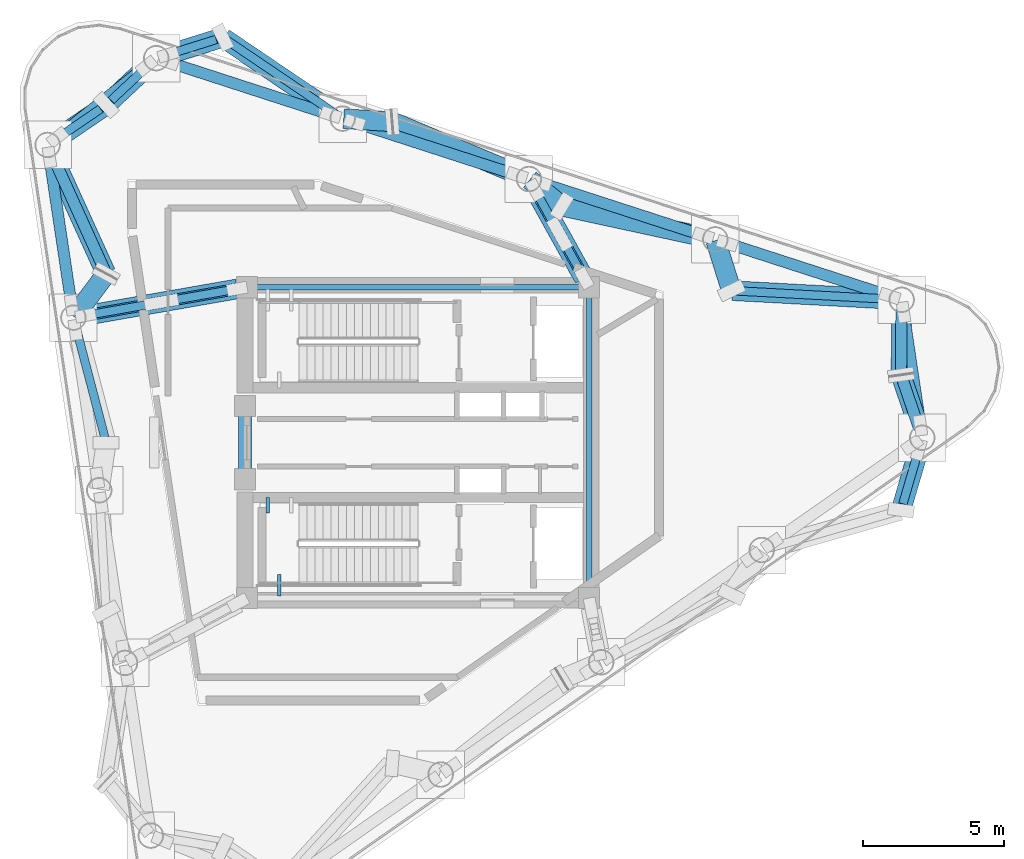
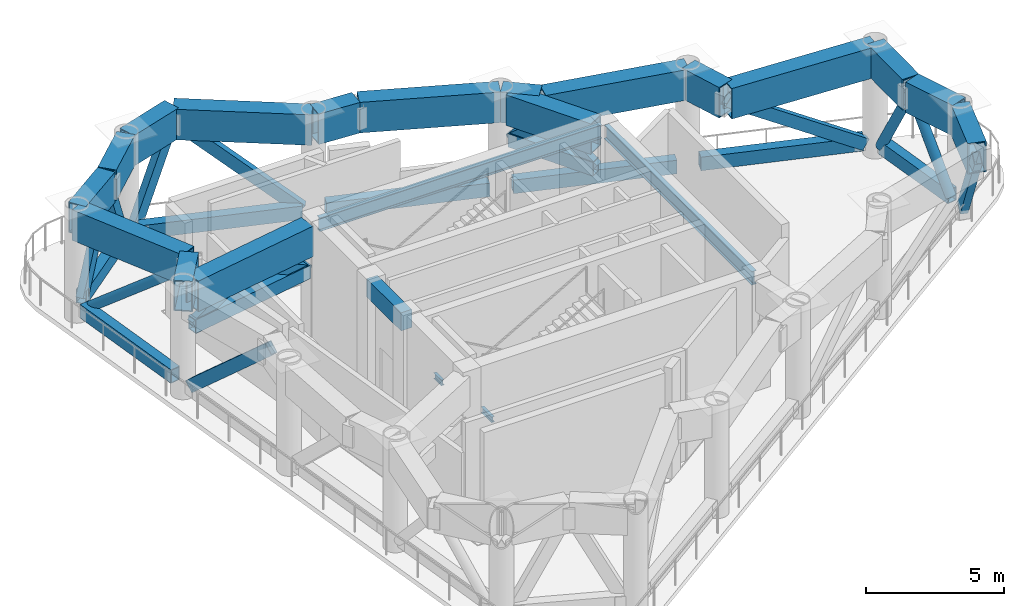
# One storey, part 2 of 9: 23 members, 22 beams.
"""IFC4 building model written with IfcOpenShell, lengths in metres."""

from ifc_helpers import new_model, si_unit, direction, frame, origin, origin_2d, place, context, subcontext, project, spatial, rectangle, hollow_rectangle, hollow_circle, i_section, extrude, source, transform, mapped, material, material_profile, profile_set, type_object, element, save


model = new_model("IFC4")

# Units and contexts
model_context = context("Model", 3, precision=1e-05, world=origin(), true_north=direction((0.0, 1.0)))
body_context = subcontext(model_context, "Body", "Model", "MODEL_VIEW")
ifc_project = project(units=[si_unit("LENGTHUNIT", "METRE"), si_unit("AREAUNIT", "SQUARE_METRE"), si_unit("VOLUMEUNIT", "CUBIC_METRE"), si_unit("PLANEANGLEUNIT", "RADIAN"), si_unit("MASSUNIT", "GRAM", prefix="KILO")], contexts=[model_context])

# Site, building, storey
site_placement = place(None, origin())
site = spatial("IfcSite", under=ifc_project, at=site_placement, CompositionType="ELEMENT")
building_placement = place(site_placement, origin())
building = spatial("IfcBuilding", under=site, at=building_placement, Name="Yunling Apex Tower", CompositionType="ELEMENT")
storey_placement = place(building_placement, frame((0.0, 0.0, 284.75)))
storey = spatial("IfcBuildingStorey", under=building, at=storey_placement, Name="RF8", CompositionType="ELEMENT", Elevation=284.75)

# Beams
ifc_material_1 = material(Name="Steel Q355B", Category="steel")
ifc_material_profile_1 = material_profile(ifc_material_1, i_section(OverallWidth=0.125, OverallDepth=0.25, WebThickness=0.006103515625, FlangeThickness=0.009033203125, FilletRadius=0.011962890625, at=origin_2d()))
ifc_profile_set_1 = profile_set([ifc_material_profile_1], Name="Steel Q355B")
beam_type_1 = type_object("IfcBeamType", Name="BL-LNT-1", PredefinedType="LINTEL", material=ifc_profile_set_1)
shared_shape_1 = source(origin(), body_context, "Body", "SweptSolid", [
    extrude(i_section(OverallWidth=0.125, OverallDepth=0.25, WebThickness=0.006103515625, FlangeThickness=0.009033203125, FilletRadius=0.011962890625, at=origin_2d()), origin(), (0.0, 0.0, 1.0), 0.760009765625),
])
beam_1_placement = place(storey_placement, frame((-4.905029296875, -5.419921875, 2.22998046875), z_axis=(0.0, 1.0, 0.0), x_axis=(-1.0, 0.0, 0.0)))
element("IfcBeam", 1, at=beam_1_placement, inside=storey, type_object=beam_type_1, Name="RF8 ST-2 Landing Bearing Corbel 1-3", PredefinedType="LINTEL", context=body_context, shape_type="MappedRepresentation", body=[
    mapped(shared_shape_1, transform((0.0, 0.0, 0.0), scale=1.0)),
])
shared_shape_2 = source(origin(), body_context, "Body", "SweptSolid", [
    extrude(i_section(OverallWidth=0.125, OverallDepth=0.25, WebThickness=0.006103515625, FlangeThickness=0.009033203125, FilletRadius=0.011962890625, at=origin_2d()), origin(), (0.0, 0.0, 1.0), 0.550048828125),
])
beam_2_placement = place(storey_placement, frame((-5.320068359375, -1.93994140625, 2.22998046875), z_axis=(0.0, -1.0, 0.0), x_axis=(1.0, 0.0, 0.0)))
element("IfcBeam", 2, at=beam_2_placement, inside=storey, type_object=beam_type_1, Name="RF8 ST-2 Landing Bearing Corbel 1-1", PredefinedType="LINTEL", context=body_context, shape_type="MappedRepresentation", body=[
    mapped(shared_shape_2, transform((0.0, 0.0, 0.0), scale=1.0)),
])
ifc_material_2 = material(Name="Concrete C40", Category="concrete")
ifc_material_profile_2 = material_profile(ifc_material_2, rectangle(XDim=0.449951171875, YDim=0.800048828125, at=origin_2d()))
ifc_profile_set_2 = profile_set([ifc_material_profile_2], Name="Concrete C40")
beam_type_2 = type_object("IfcBeamType", Name="BC-CPL-3", PredefinedType="BEAM", material=ifc_profile_set_2)
shared_shape_3 = source(origin(), body_context, "Body", "SweptSolid", [
    extrude(rectangle(XDim=0.449951171875, YDim=0.800048828125, at=origin_2d()), origin(), (0.0, 0.0, 1.0), 2.5),
])
beam_3_placement = place(storey_placement, frame((-6.125, -1.25, 4.52001953125), z_axis=(0.0, 1.0, 0.0), x_axis=(-1.0, 0.0, 0.0)))
element("IfcBeam", 3, at=beam_3_placement, inside=storey, type_object=beam_type_2, Name="RF8 Core West Portal Coupling Beam", PredefinedType="BEAM", context=body_context, shape_type="MappedRepresentation", body=[
    mapped(shared_shape_3, transform((0.0, 0.0, 0.0), scale=1.0)),
])
ifc_material_profile_3 = material_profile(ifc_material_1, i_section(OverallWidth=0.199951171875, OverallDepth=0.60009765625, WebThickness=0.010986328125, FlangeThickness=0.01708984375, FilletRadius=0.02197265625, at=origin_2d()))
ifc_profile_set_3 = profile_set([ifc_material_profile_3], Name="Steel Q355B")
beam_type_3 = type_object("IfcBeamType", Name="BG-PRI-5", PredefinedType="USERDEFINED", material=ifc_profile_set_3)
shared_shape_4 = source(origin(), body_context, "Body", "SweptSolid", [
    extrude(i_section(OverallWidth=0.199951171875, OverallDepth=0.60009765625, WebThickness=0.010986328125, FlangeThickness=0.01708984375, FilletRadius=0.02197265625, at=origin_2d()), origin(), (0.0, 0.0, 1.0), 11.7998046875),
])
beam_4_placement = place(storey_placement, frame((5.89990234375, 5.5, 4.6201171875), z_axis=(-1.0, 0.0, 0.0), x_axis=(0.0, -1.0, 0.0)))
element("IfcBeam", 4, at=beam_4_placement, inside=storey, type_object=beam_type_3, Name="RF8 Core Ring Tie Beam 3", ObjectType="GIRDER", PredefinedType="USERDEFINED", context=body_context, shape_type="MappedRepresentation", body=[
    mapped(shared_shape_4, transform((0.0, 0.0, 0.0), scale=1.0)),
])
shared_shape_5 = source(origin(), body_context, "Body", "SweptSolid", [
    extrude(i_section(OverallWidth=0.199951171875, OverallDepth=0.60009765625, WebThickness=0.010986328125, FlangeThickness=0.01708984375, FilletRadius=0.02197265625, at=origin_2d()), origin(), (0.0, 0.0, 1.0), 10.7001953125),
])
beam_5_placement = place(storey_placement, frame((6.050048828125, -5.35009765625, 4.6201171875), z_axis=(0.0, 1.0, 0.0), x_axis=(-1.0, 0.0, 0.0)))
element("IfcBeam", 5, at=beam_5_placement, inside=storey, type_object=beam_type_3, Name="RF8 Core Ring Tie Beam 2", ObjectType="GIRDER", PredefinedType="USERDEFINED", context=body_context, shape_type="MappedRepresentation", body=[
    mapped(shared_shape_5, transform((0.0, 0.0, 0.0), scale=1.0)),
])

# Members
ifc_material_profile_4 = material_profile(ifc_material_1, hollow_rectangle(XDim=0.39990234375, YDim=0.60009765625, WallThickness=0.030029296875, at=origin_2d()))
ifc_profile_set_4 = profile_set([ifc_material_profile_4], Name="Steel Q355B")
member_type_1 = type_object("IfcMemberType", Name="BT-CHD-2", PredefinedType="CHORD", material=ifc_profile_set_4)
shared_shape_6 = source(origin(), body_context, "Body", "SweptSolid", [
    extrude(hollow_rectangle(XDim=0.39990234375, YDim=0.60009765625, WallThickness=0.030029296875, at=origin_2d()), origin(), (0.0, 0.0, 1.0), 6.047607421875),
])
for number, where, z_axis, x_axis, name in (
    (6, (16.689697265625, 5.188720703125, 0.550048828125), (-0.95126283341, 0.308381292837, 0.0), (-0.308381292837, -0.95126283341, 0.0), "RF8 Belt-Truss Bottom Chord 6"),
    (7, (10.095703125, 7.326171875, 0.550048828125), (-0.951274675266, 0.308344761911, 0.0), (-0.308344761911, -0.951274675266, 0.0), "RF8 Belt-Truss Bottom Chord 7"),
    (8, (3.501708984375, 9.463623046875, 0.550048828125), (-0.95126283341, 0.308381292837, 0.0), (-0.308381292837, -0.95126283341, 0.0), "RF8 Belt-Truss Bottom Chord 8"),
    (9, (-3.09228515625, 11.60107421875, 0.550048828125), (-0.951274675266, 0.308344761911, 0.0), (-0.308344761911, -0.951274675266, 0.0), "RF8 Belt-Truss Bottom Chord 9"),
):
    element("IfcMember", number, at=place(storey_placement, frame(where, z_axis=z_axis, x_axis=x_axis)), inside=storey, type_object=member_type_1, Name=name, PredefinedType="CHORD", context=body_context, shape_type="MappedRepresentation", body=[
        mapped(shared_shape_6, transform((0.0, 0.0, 0.0), scale=1.0)),
    ])
shared_shape_7 = source(origin(), body_context, "Body", "SweptSolid", [
    extrude(hollow_rectangle(XDim=0.39990234375, YDim=0.60009765625, WallThickness=0.030029296875, at=origin_2d()), origin(), (0.0, 0.0, 1.0), 4.0517578125),
])
member_1_placement = place(storey_placement, frame((17.7744140625, 0.60791015625, 0.550048828125), z_axis=(-0.147804181193, 0.989016644967, 0.0), x_axis=(-0.989016644967, -0.147804181193, 0.0)))
element("IfcMember", 10, at=member_1_placement, inside=storey, type_object=member_type_1, Name="RF8 Belt-Truss Bottom Chord 5", PredefinedType="CHORD", context=body_context, shape_type="MappedRepresentation", body=[
    mapped(shared_shape_7, transform((0.0, 0.0, 0.0), scale=1.0)),
])
shared_shape_8 = source(origin(), body_context, "Body", "SweptSolid", [
    extrude(hollow_rectangle(XDim=0.39990234375, YDim=0.60009765625, WallThickness=0.030029296875, at=origin_2d()), origin(), (0.0, 0.0, 1.0), 4.035400390625),
])
member_2_placement = place(storey_placement, frame((-9.611083984375, 13.326416015625, 0.550048828125), z_axis=(-0.781393834195, -0.62403820066, 0.0), x_axis=(0.62403820066, -0.781393834195, 0.0)))
element("IfcMember", 11, at=member_2_placement, inside=storey, type_object=member_type_1, Name="RF8 Belt-Truss Bottom Chord 10", PredefinedType="CHORD", context=body_context, shape_type="MappedRepresentation", body=[
    mapped(shared_shape_8, transform((0.0, 0.0, 0.0), scale=1.0)),
])
shared_shape_9 = source(origin(), body_context, "Body", "SweptSolid", [
    extrude(hollow_rectangle(XDim=0.39990234375, YDim=0.60009765625, WallThickness=0.030029296875, at=origin_2d()), origin(), (0.0, 0.0, 1.0), 5.293212890625),
])
member_3_placement = place(storey_placement, frame((-13.04443359375, 10.09521484375, 0.550048828125), z_axis=(0.147823946255, -0.989013690964, 0.0), x_axis=(0.989013690964, 0.147823946255, 0.0)))
element("IfcMember", 12, at=member_3_placement, inside=storey, type_object=member_type_1, Name="RF8 Belt-Truss Bottom Chord 11", PredefinedType="CHORD", context=body_context, shape_type="MappedRepresentation", body=[
    mapped(shared_shape_9, transform((0.0, 0.0, 0.0), scale=1.0)),
])

# Beams
ifc_material_3 = material(Name="Steel Q390GJC", Category="steel")
ifc_material_profile_5 = material_profile(ifc_material_3, hollow_rectangle(XDim=0.699951171875, YDim=1.35009765625, WallThickness=0.044921875, at=origin_2d()))
ifc_profile_set_5 = profile_set([ifc_material_profile_5], Name="Steel Q390GJC")
beam_type_4 = type_object("IfcBeamType", Name="BTRNG-2", PredefinedType="USERDEFINED", material=ifc_profile_set_5)
shared_shape_10 = source(origin(), body_context, "Body", "SweptSolid", [
    extrude(hollow_rectangle(XDim=0.699951171875, YDim=1.35009765625, WallThickness=0.044921875, at=origin_2d()), origin(), (0.0, 0.0, 1.0), 2.5908203125),
])
beam_6_placement = place(storey_placement, frame((17.097900390625, -2.35302734375, 4.2451171875), z_axis=(0.28195713513, 0.959427002929, 0.0), x_axis=(-0.959427002929, 0.28195713513, 0.0)))
element("IfcBeam", 13, at=beam_6_placement, inside=storey, type_object=beam_type_4, Name="RF8 Panel-Split Box Ring Transfer Girder 14", ObjectType="GIRDER", PredefinedType="USERDEFINED", context=body_context, shape_type="MappedRepresentation", body=[
    mapped(shared_shape_10, transform((0.0, 0.0, 0.0), scale=1.0)),
])
shared_shape_11 = source(origin(), body_context, "Body", "SweptSolid", [
    extrude(hollow_rectangle(XDim=0.699951171875, YDim=1.35009765625, WallThickness=0.044921875, at=origin_2d()), origin(), (0.0, 0.0, 1.0), 2.264892578125),
])
beam_7_placement = place(storey_placement, frame((17.826904296875, 0.208740234375, 4.2451171875), z_axis=(-0.321235925826, 0.946999197444, 0.0), x_axis=(-0.946999197444, -0.321235925826, 0.0)))
element("IfcBeam", 14, at=beam_7_placement, inside=storey, type_object=beam_type_4, Name="RF8 Panel-Split Box Ring Transfer Girder 15", ObjectType="GIRDER", PredefinedType="USERDEFINED", context=body_context, shape_type="MappedRepresentation", body=[
    mapped(shared_shape_11, transform((0.0, 0.0, 0.0), scale=1.0)),
])
shared_shape_12 = source(origin(), body_context, "Body", "SweptSolid", [
    extrude(hollow_rectangle(XDim=0.699951171875, YDim=1.35009765625, WallThickness=0.044921875, at=origin_2d()), origin(), (0.0, 0.0, 1.0), 2.5810546875),
])
beam_8_placement = place(storey_placement, frame((17.0869140625, 2.431396484375, 4.2451171875), z_axis=(0.008891059831, 0.999960473746, 0.0), x_axis=(-0.999960473746, 0.008891059831, 0.0)))
element("IfcBeam", 15, at=beam_8_placement, inside=storey, type_object=beam_type_4, Name="RF8 Panel-Split Box Ring Transfer Girder 16", ObjectType="GIRDER", PredefinedType="USERDEFINED", context=body_context, shape_type="MappedRepresentation", body=[
    mapped(shared_shape_12, transform((0.0, 0.0, 0.0), scale=1.0)),
])
shared_shape_13 = source(origin(), body_context, "Body", "SweptSolid", [
    extrude(hollow_rectangle(XDim=0.699951171875, YDim=1.35009765625, WallThickness=0.044921875, at=origin_2d()), origin(), (0.0, 0.0, 1.0), 5.95263671875),
])
beam_9_placement = place(storey_placement, frame((17.0703125, 5.0546875, 4.2451171875), z_axis=(-0.998546810164, 0.053891260055, 0.0), x_axis=(-0.053891260055, -0.998546810164, 0.0)))
element("IfcBeam", 16, at=beam_9_placement, inside=storey, type_object=beam_type_4, Name="RF8 Panel-Split Box Ring Transfer Girder 17", ObjectType="GIRDER", PredefinedType="USERDEFINED", context=body_context, shape_type="MappedRepresentation", body=[
    mapped(shared_shape_13, transform((0.0, 0.0, 0.0), scale=1.0)),
])
shared_shape_14 = source(origin(), body_context, "Body", "SweptSolid", [
    extrude(hollow_rectangle(XDim=0.699951171875, YDim=1.35009765625, WallThickness=0.044921875, at=origin_2d()), origin(), (0.0, 0.0, 1.0), 1.819580078125),
])
beam_10_placement = place(storey_placement, frame((11.074462890625, 5.416015625, 4.2451171875), z_axis=(-0.300161530792, 0.953888387304, 0.0), x_axis=(-0.953888387304, -0.300161530792, 0.0)))
element("IfcBeam", 17, at=beam_10_placement, inside=storey, type_object=beam_type_4, Name="RF8 Panel-Split Box Ring Transfer Girder 18", ObjectType="GIRDER", PredefinedType="USERDEFINED", context=body_context, shape_type="MappedRepresentation", body=[
    mapped(shared_shape_14, transform((0.0, 0.0, 0.0), scale=1.0)),
])
shared_shape_15 = source(origin(), body_context, "Body", "SweptSolid", [
    extrude(hollow_rectangle(XDim=0.699951171875, YDim=1.35009765625, WallThickness=0.044921875, at=origin_2d()), origin(), (0.0, 0.0, 1.0), 5.475341796875),
])
beam_11_placement = place(storey_placement, frame((10.47705078125, 7.198486328125, 4.2451171875), z_axis=(-0.977409186541, 0.211355818622, 0.0), x_axis=(-0.211355818622, -0.977409186541, 0.0)))
element("IfcBeam", 18, at=beam_11_placement, inside=storey, type_object=beam_type_4, Name="RF8 Panel-Split Box Ring Transfer Girder 19", ObjectType="GIRDER", PredefinedType="USERDEFINED", context=body_context, shape_type="MappedRepresentation", body=[
    mapped(shared_shape_15, transform((0.0, 0.0, 0.0), scale=1.0)),
])
shared_shape_16 = source(origin(), body_context, "Body", "SweptSolid", [
    extrude(hollow_rectangle(XDim=0.699951171875, YDim=1.35009765625, WallThickness=0.044921875, at=origin_2d()), origin(), (0.0, 0.0, 1.0), 1.4306640625),
])
beam_12_placement = place(storey_placement, frame((5.055419921875, 8.3896484375, 4.2451171875), z_axis=(-0.770440561753, 0.637511835816, 0.0), x_axis=(-0.637511835816, -0.770440561753, 0.0)))
element("IfcBeam", 19, at=beam_12_placement, inside=storey, type_object=beam_type_4, Name="RF8 Panel-Split Box Ring Transfer Girder 20", ObjectType="GIRDER", PredefinedType="USERDEFINED", context=body_context, shape_type="MappedRepresentation", body=[
    mapped(shared_shape_16, transform((0.0, 0.0, 0.0), scale=1.0)),
])
shared_shape_17 = source(origin(), body_context, "Body", "SweptSolid", [
    extrude(hollow_rectangle(XDim=0.699951171875, YDim=1.35009765625, WallThickness=0.044921875, at=origin_2d()), origin(), (0.0, 0.0, 1.0), 5.162353515625),
])
beam_13_placement = place(storey_placement, frame((3.885498046875, 9.3427734375, 4.2451171875), z_axis=(-0.92253732946, 0.385907859148, 0.0), x_axis=(-0.385907859148, -0.92253732946, 0.0)))
element("IfcBeam", 20, at=beam_13_placement, inside=storey, type_object=beam_type_4, Name="RF8 Panel-Split Box Ring Transfer Girder 21", ObjectType="GIRDER", PredefinedType="USERDEFINED", context=body_context, shape_type="MappedRepresentation", body=[
    mapped(shared_shape_17, transform((0.0, 0.0, 0.0), scale=1.0)),
])
shared_shape_18 = source(origin(), body_context, "Body", "SweptSolid", [
    extrude(hollow_rectangle(XDim=0.699951171875, YDim=1.35009765625, WallThickness=0.044921875, at=origin_2d()), origin(), (0.0, 0.0, 1.0), 1.681640625),
])
beam_14_placement = place(storey_placement, frame((-0.953857421875, 11.35302734375, 4.2451171875), z_axis=(-0.99789177342, 0.064899988756, 0.0), x_axis=(-0.064899988756, -0.99789177342, 0.0)))
element("IfcBeam", 21, at=beam_14_placement, inside=storey, type_object=beam_type_4, Name="RF8 Panel-Split Box Ring Transfer Girder 22", ObjectType="GIRDER", PredefinedType="USERDEFINED", context=body_context, shape_type="MappedRepresentation", body=[
    mapped(shared_shape_18, transform((0.0, 0.0, 0.0), scale=1.0)),
])
shared_shape_19 = source(origin(), body_context, "Body", "SweptSolid", [
    extrude(hollow_rectangle(XDim=0.699951171875, YDim=1.35009765625, WallThickness=0.044921875, at=origin_2d()), origin(), (0.0, 0.0, 1.0), 5.04296875),
])
beam_15_placement = place(storey_placement, frame((-2.704833984375, 11.4873046875, 4.2451171875), z_axis=(-0.828104285836, 0.560574073411, 0.0), x_axis=(-0.560574073411, -0.828104285836, 0.0)))
element("IfcBeam", 22, at=beam_15_placement, inside=storey, type_object=beam_type_4, Name="RF8 Panel-Split Box Ring Transfer Girder 23", ObjectType="GIRDER", PredefinedType="USERDEFINED", context=body_context, shape_type="MappedRepresentation", body=[
    mapped(shared_shape_19, transform((0.0, 0.0, 0.0), scale=1.0)),
])
shared_shape_20 = source(origin(), body_context, "Body", "SweptSolid", [
    extrude(hollow_rectangle(XDim=0.699951171875, YDim=1.35009765625, WallThickness=0.044921875, at=origin_2d()), origin(), (0.0, 0.0, 1.0), 2.383544921875),
])
beam_16_placement = place(storey_placement, frame((-6.9521484375, 14.32470703125, 4.2451171875), z_axis=(-0.954514599853, -0.298164180725, 0.0), x_axis=(0.298164180725, -0.954514599853, 0.0)))
element("IfcBeam", 23, at=beam_16_placement, inside=storey, type_object=beam_type_4, Name="RF8 Panel-Split Box Ring Transfer Girder 24", ObjectType="GIRDER", PredefinedType="USERDEFINED", context=body_context, shape_type="MappedRepresentation", body=[
    mapped(shared_shape_20, transform((0.0, 0.0, 0.0), scale=1.0)),
])
shared_shape_21 = source(origin(), body_context, "Body", "SweptSolid", [
    extrude(hollow_rectangle(XDim=0.699951171875, YDim=1.35009765625, WallThickness=0.044921875, at=origin_2d()), origin(), (0.0, 0.0, 1.0), 2.345703125),
])
beam_17_placement = place(storey_placement, frame((-9.294921875, 13.574951171875, 4.2451171875), z_axis=(-0.730338410171, -0.683085504625, 0.0), x_axis=(0.683085504625, -0.730338410171, 0.0)))
element("IfcBeam", 24, at=beam_17_placement, inside=storey, type_object=beam_type_4, Name="RF8 Panel-Split Box Ring Transfer Girder 25", ObjectType="GIRDER", PredefinedType="USERDEFINED", context=body_context, shape_type="MappedRepresentation", body=[
    mapped(shared_shape_21, transform((0.0, 0.0, 0.0), scale=1.0)),
])
shared_shape_22 = source(origin(), body_context, "Body", "SweptSolid", [
    extrude(hollow_rectangle(XDim=0.699951171875, YDim=1.35009765625, WallThickness=0.044921875, at=origin_2d()), origin(), (0.0, 0.0, 1.0), 2.42822265625),
])
beam_18_placement = place(storey_placement, frame((-11.0703125, 11.9228515625, 4.2451171875), z_axis=(-0.826235851016, -0.563324345734, 0.0), x_axis=(0.563324345734, -0.826235851016, 0.0)))
element("IfcBeam", 25, at=beam_18_placement, inside=storey, type_object=beam_type_4, Name="RF8 Panel-Split Box Ring Transfer Girder 26", ObjectType="GIRDER", PredefinedType="USERDEFINED", context=body_context, shape_type="MappedRepresentation", body=[
    mapped(shared_shape_22, transform((0.0, 0.0, 0.0), scale=1.0)),
])
shared_shape_23 = source(origin(), body_context, "Body", "SweptSolid", [
    extrude(hollow_rectangle(XDim=0.699951171875, YDim=1.35009765625, WallThickness=0.044921875, at=origin_2d()), origin(), (0.0, 0.0, 1.0), 4.9287109375),
])
beam_19_placement = place(storey_placement, frame((-13.09326171875, 10.49609375, 4.2451171875), z_axis=(0.413758159565, -0.910386832832, 0.0), x_axis=(0.910386832832, 0.413758159565, 0.0)))
element("IfcBeam", 26, at=beam_19_placement, inside=storey, type_object=beam_type_4, Name="RF8 Panel-Split Box Ring Transfer Girder 27", ObjectType="GIRDER", PredefinedType="USERDEFINED", context=body_context, shape_type="MappedRepresentation", body=[
    mapped(shared_shape_23, transform((0.0, 0.0, 0.0), scale=1.0)),
])
shared_shape_24 = source(origin(), body_context, "Body", "SweptSolid", [
    extrude(hollow_rectangle(XDim=0.699951171875, YDim=1.35009765625, WallThickness=0.044921875, at=origin_2d()), origin(), (0.0, 0.0, 1.0), 1.855224609375),
])
beam_20_placement = place(storey_placement, frame((-11.061279296875, 5.940673828125, 4.2451171875), z_axis=(-0.599009963877, -0.80074157078, 0.0), x_axis=(0.80074157078, -0.599009963877, 0.0)))
element("IfcBeam", 27, at=beam_20_placement, inside=storey, type_object=beam_type_4, Name="RF8 Panel-Split Box Ring Transfer Girder 28", ObjectType="GIRDER", PredefinedType="USERDEFINED", context=body_context, shape_type="MappedRepresentation", body=[
    mapped(shared_shape_24, transform((0.0, 0.0, 0.0), scale=1.0)),
])

# Members
ifc_material_profile_6 = material_profile(ifc_material_1, hollow_rectangle(XDim=0.300048828125, YDim=0.5, WallThickness=0.02197265625, at=origin_2d()))
ifc_profile_set_6 = profile_set([ifc_material_profile_6], Name="Steel Q355B")
member_type_2 = type_object("IfcMemberType", Name="BR-BLT-2", PredefinedType="BRACE", material=ifc_profile_set_6)
shared_shape_25 = source(origin(), body_context, "Body", "SweptSolid", [
    extrude(hollow_rectangle(XDim=0.300048828125, YDim=0.5, WallThickness=0.02197265625, at=origin_2d()), origin(), (0.0, 0.0, 1.0), 4.305908203125),
])
member_4_placement = place(storey_placement, frame((17.715576171875, -0.251220703125, 0.550048828125), z_axis=(-0.144751669219, -0.492597924864, 0.858134161235), x_axis=(0.959434053677, -0.281933142154, 0.0)))
element("IfcMember", 28, at=member_4_placement, inside=storey, type_object=member_type_2, Name="RF8 Belt-Truss Diagonal 5-1", PredefinedType="BRACE", context=body_context, shape_type="MappedRepresentation", body=[
    mapped(shared_shape_25, transform((0.0, 0.0, 0.0), scale=1.0)),
])
ifc_material_profile_7 = material_profile(ifc_material_1, hollow_circle(Radius=0.202880859375, WallThickness=0.01611328125, at=origin_2d()))
ifc_profile_set_7 = profile_set([ifc_material_profile_7], Name="Steel Q355B")
member_type_3 = type_object("IfcMemberType", Name="BR-PER-3", PredefinedType="BRACE", material=ifc_profile_set_7)
shared_shape_26 = source(origin(), body_context, "Body", "SweptSolid", [
    extrude(hollow_circle(Radius=0.202880859375, WallThickness=0.01611328125, at=origin_2d()), origin(), (0.0, 0.0, 1.0), 4.14794921875),
])
member_5_placement = place(storey_placement, frame((17.698486328125, 0.587646484375, 0.550048828125), z_axis=(-0.145965878918, 0.430305056763, 0.890803861866), x_axis=(-0.946999107735, -0.321236190286, 0.0)))
element("IfcMember", 29, at=member_5_placement, inside=storey, type_object=member_type_3, Name="RF8 Belt-Truss Diagonal 6-1", PredefinedType="BRACE", context=body_context, shape_type="MappedRepresentation", body=[
    mapped(shared_shape_26, transform((0.0, 0.0, 0.0), scale=1.0)),
])
shared_shape_27 = source(origin(), body_context, "Body", "SweptSolid", [
    extrude(hollow_circle(Radius=0.202880859375, WallThickness=0.01611328125, at=origin_2d()), origin(), (0.0, 0.0, 1.0), 4.30078125),
])
member_6_placement = place(storey_placement, frame((17.106201171875, 4.6123046875, 0.550048828125), z_axis=(-0.004484536326, -0.511691271449, 0.859157687306), x_axis=(0.999961597096, -0.008763808095, 0.0)))
element("IfcMember", 30, at=member_6_placement, inside=storey, type_object=member_type_3, Name="RF8 Belt-Truss Diagonal 6-2", PredefinedType="BRACE", context=body_context, shape_type="MappedRepresentation", body=[
    mapped(shared_shape_27, transform((0.0, 0.0, 0.0), scale=1.0)),
])
shared_shape_28 = source(origin(), body_context, "Body", "SweptSolid", [
    extrude(hollow_rectangle(XDim=0.300048828125, YDim=0.5, WallThickness=0.02197265625, at=origin_2d()), origin(), (0.0, 0.0, 1.0), 6.686279296875),
])
member_7_placement = place(storey_placement, frame((16.6708984375, 5.076171875, 0.550048828125), z_axis=(-0.832213518841, 0.044948001127, 0.552630379416), x_axis=(-0.05393157441, -0.998544633595, 0.0)))
element("IfcMember", 31, at=member_7_placement, inside=storey, type_object=member_type_2, Name="RF8 Belt-Truss Diagonal 7-1", PredefinedType="BRACE", context=body_context, shape_type="MappedRepresentation", body=[
    mapped(shared_shape_28, transform((0.0, 0.0, 0.0), scale=1.0)),
])
shared_shape_29 = source(origin(), body_context, "Body", "SweptSolid", [
    extrude(hollow_rectangle(XDim=0.300048828125, YDim=0.5, WallThickness=0.02197265625, at=origin_2d()), origin(), (0.0, 0.0, 1.0), 4.203369140625),
])
member_8_placement = place(storey_placement, frame((-8.845703125, 13.7333984375, 0.550048828125), z_axis=(0.455013472246, 0.142126367959, 0.879069300798), x_axis=(-0.298150112226, 0.954518994352, 0.0)))
element("IfcMember", 32, at=member_8_placement, inside=storey, type_object=member_type_2, Name="RF8 Belt-Truss Diagonal 10-1", PredefinedType="BRACE", context=body_context, shape_type="MappedRepresentation", body=[
    mapped(shared_shape_29, transform((0.0, 0.0, 0.0), scale=1.0)),
])
shared_shape_30 = source(origin(), body_context, "Body", "SweptSolid", [
    extrude(hollow_rectangle(XDim=0.300048828125, YDim=0.5, WallThickness=0.02197265625, at=origin_2d()), origin(), (0.0, 0.0, 1.0), 5.949462890625),
])
member_9_placement = place(storey_placement, frame((-3.0361328125, 11.71142578125, 0.550048828125), z_axis=(-0.649018145081, 0.439367556865, 0.621072940427), x_axis=(-0.560594583307, -0.828090401567, 0.0)))
element("IfcMember", 33, at=member_9_placement, inside=storey, type_object=member_type_2, Name="RF8 Belt-Truss Diagonal 10-2", PredefinedType="BRACE", context=body_context, shape_type="MappedRepresentation", body=[
    mapped(shared_shape_30, transform((0.0, 0.0, 0.0), scale=1.0)),
])
shared_shape_31 = source(origin(), body_context, "Body", "SweptSolid", [
    extrude(hollow_rectangle(XDim=0.300048828125, YDim=0.5, WallThickness=0.02197265625, at=origin_2d()), origin(), (0.0, 0.0, 1.0), 4.185546875),
])
member_10_placement = place(storey_placement, frame((-9.5869140625, 13.3017578125, 0.550048828125), z_axis=(-0.343042671482, -0.320818686134, 0.882834693569), x_axis=(0.683052434374, -0.730369339373, 0.0)))
element("IfcMember", 34, at=member_10_placement, inside=storey, type_object=member_type_2, Name="RF8 Belt-Truss Diagonal 11-1", PredefinedType="BRACE", context=body_context, shape_type="MappedRepresentation", body=[
    mapped(shared_shape_31, transform((0.0, 0.0, 0.0), scale=1.0)),
])
shared_shape_32 = source(origin(), body_context, "Body", "SweptSolid", [
    extrude(hollow_rectangle(XDim=0.300048828125, YDim=0.5, WallThickness=0.02197265625, at=origin_2d()), origin(), (0.0, 0.0, 1.0), 4.224853515625),
])
member_11_placement = place(storey_placement, frame((-12.74609375, 10.7802734375, 0.550048828125), z_axis=(0.400582616424, 0.273103497579, 0.874613084186), x_axis=(-0.563307236114, 0.826247516027, 0.0)))
element("IfcMember", 35, at=member_11_placement, inside=storey, type_object=member_type_2, Name="RF8 Belt-Truss Diagonal 11-2", PredefinedType="BRACE", context=body_context, shape_type="MappedRepresentation", body=[
    mapped(shared_shape_32, transform((0.0, 0.0, 0.0), scale=1.0)),
])
shared_shape_33 = source(origin(), body_context, "Body", "SweptSolid", [
    extrude(hollow_circle(Radius=0.202880859375, WallThickness=0.01611328125, at=origin_2d()), origin(), (0.0, 0.0, 1.0), 5.8603515625),
])
member_12_placement = place(storey_placement, frame((-12.927734375, 10.1318359375, 0.550048828125), z_axis=(0.321150812903, -0.706623438637, 0.630512070733), x_axis=(0.91038669533, 0.413758462109, 0.0)))
element("IfcMember", 36, at=member_12_placement, inside=storey, type_object=member_type_3, Name="RF8 Belt-Truss Diagonal 12-1", PredefinedType="BRACE", context=body_context, shape_type="MappedRepresentation", body=[
    mapped(shared_shape_33, transform((0.0, 0.0, 0.0), scale=1.0)),
])
shared_shape_34 = source(origin(), body_context, "Body", "SweptSolid", [
    extrude(hollow_rectangle(XDim=0.300048828125, YDim=0.5, WallThickness=0.02197265625, at=origin_2d()), origin(), (0.0, 0.0, 1.0), 5.528564453125),
])
member_13_placement = place(storey_placement, frame((-12.085205078125, 3.997314453125, 0.550048828125), z_axis=(0.188605271113, -0.719535070829, 0.66835419768), x_axis=(0.967320930903, 0.253555155019, 0.0)))
element("IfcMember", 37, at=member_13_placement, inside=storey, type_object=member_type_2, Name="RF8 Belt-Truss Diagonal 13-1", PredefinedType="BRACE", context=body_context, shape_type="MappedRepresentation", body=[
    mapped(shared_shape_34, transform((0.0, 0.0, 0.0), scale=1.0)),
])

# Beam
shared_shape_35 = source(origin(), body_context, "Body", "SweptSolid", [
    extrude(hollow_rectangle(XDim=0.699951171875, YDim=1.35009765625, WallThickness=0.044921875, at=origin_2d()), origin(), (0.0, 0.0, 1.0), 3.578857421875),
])
beam_21_placement = place(storey_placement, frame((5.875, 5.814697265625, 4.2451171875), z_axis=(-0.485915135123, 0.874005996237, 0.0), x_axis=(-0.874005996237, -0.485915135123, 0.0)))
element("IfcBeam", 38, at=beam_21_placement, inside=storey, type_object=beam_type_4, Name="RF8 Radial Outrigger Top Girder 3", ObjectType="GIRDER", PredefinedType="USERDEFINED", context=body_context, shape_type="MappedRepresentation", body=[
    mapped(shared_shape_35, transform((0.0, 0.0, 0.0), scale=1.0)),
])

# Members
shared_shape_36 = source(origin(), body_context, "Body", "SweptSolid", [
    extrude(hollow_rectangle(XDim=0.39990234375, YDim=0.60009765625, WallThickness=0.030029296875, at=origin_2d()), origin(), (0.0, 0.0, 1.0), 3.578857421875),
])
member_14_placement = place(storey_placement, frame((5.875, 5.814697265625, 2.820068359375), z_axis=(-0.485915135123, 0.874005996237, 0.0), x_axis=(-0.874005996237, -0.485915135123, 0.0)))
element("IfcMember", 39, at=member_14_placement, inside=storey, type_object=member_type_1, Name="RF8 Radial Outrigger Lower Chord 3", PredefinedType="CHORD", context=body_context, shape_type="MappedRepresentation", body=[
    mapped(shared_shape_36, transform((0.0, 0.0, 0.0), scale=1.0)),
])
ifc_material_profile_8 = material_profile(ifc_material_1, hollow_rectangle(XDim=0.300048828125, YDim=0.449951171875, WallThickness=0.02001953125, at=origin_2d()))
ifc_profile_set_8 = profile_set([ifc_material_profile_8], Name="Steel Q355B")
member_type_4 = type_object("IfcMemberType", Name="BR-OUT-2", PredefinedType="BRACE", material=ifc_profile_set_8)
shared_shape_37 = source(origin(), body_context, "Body", "SweptSolid", [
    extrude(hollow_rectangle(XDim=0.300048828125, YDim=0.449951171875, WallThickness=0.02001953125, at=origin_2d()), origin(), (0.0, 0.0, 1.0), 2.28759765625),
])
for number, where, z_axis, x_axis, name in (
    (40, (5.875, 5.814697265625, 2.820068359375), (-0.380061680677, 0.683705455327, 0.622976700397), (-0.874034967233, -0.485863021904, 0.0), "RF8 Outrigger Inner Diagonal 3A"),
    (41, (5.005615234375, 7.378662109375, 4.2451171875), (-0.380152987381, 0.683677719585, -0.622951428226), (-0.873977024055, -0.48596724316, 0.0), "RF8 Outrigger Outer Diagonal 3B"),
):
    element("IfcMember", number, at=place(storey_placement, frame(where, z_axis=z_axis, x_axis=x_axis)), inside=storey, type_object=member_type_4, Name=name, PredefinedType="BRACE", context=body_context, shape_type="MappedRepresentation", body=[
        mapped(shared_shape_37, transform((0.0, 0.0, 0.0), scale=1.0)),
    ])

# Beam
shared_shape_38 = source(origin(), body_context, "Body", "SweptSolid", [
    extrude(hollow_rectangle(XDim=0.699951171875, YDim=1.35009765625, WallThickness=0.044921875, at=origin_2d()), origin(), (0.0, 0.0, 1.0), 5.4404296875),
])
beam_22_placement = place(storey_placement, frame((-6.404541015625, 5.43798828125, 4.2451171875), z_axis=(-0.98498528514, -0.172638315729, 0.0), x_axis=(0.172638315729, -0.98498528514, 0.0)))
element("IfcBeam", 42, at=beam_22_placement, inside=storey, type_object=beam_type_4, Name="RF8 Radial Outrigger Top Girder 4", ObjectType="GIRDER", PredefinedType="USERDEFINED", context=body_context, shape_type="MappedRepresentation", body=[
    mapped(shared_shape_38, transform((0.0, 0.0, 0.0), scale=1.0)),
])

# Members
shared_shape_39 = source(origin(), body_context, "Body", "SweptSolid", [
    extrude(hollow_rectangle(XDim=0.39990234375, YDim=0.60009765625, WallThickness=0.030029296875, at=origin_2d()), origin(), (0.0, 0.0, 1.0), 5.4404296875),
])
member_15_placement = place(storey_placement, frame((-6.404541015625, 5.43798828125, 2.820068359375), z_axis=(-0.98498528514, -0.172638315729, 0.0), x_axis=(0.172638315729, -0.98498528514, 0.0)))
element("IfcMember", 43, at=member_15_placement, inside=storey, type_object=member_type_1, Name="RF8 Radial Outrigger Lower Chord 4", PredefinedType="CHORD", context=body_context, shape_type="MappedRepresentation", body=[
    mapped(shared_shape_39, transform((0.0, 0.0, 0.0), scale=1.0)),
])
shared_shape_40 = source(origin(), body_context, "Body", "SweptSolid", [
    extrude(hollow_rectangle(XDim=0.300048828125, YDim=0.449951171875, WallThickness=0.02001953125, at=origin_2d()), origin(), (0.0, 0.0, 1.0), 3.071044921875),
])
member_16_placement = place(storey_placement, frame((-6.404541015625, 5.43798828125, 2.820068359375), z_axis=(-0.872519300381, -0.152879691538, 0.464045116749), x_axis=(0.17258714775, -0.984994251979, 0.0)))
element("IfcMember", 44, at=member_16_placement, inside=storey, type_object=member_type_4, Name="RF8 Outrigger Inner Diagonal 4A", PredefinedType="BRACE", context=body_context, shape_type="MappedRepresentation", body=[
    mapped(shared_shape_40, transform((0.0, 0.0, 0.0), scale=1.0)),
])
shared_shape_41 = source(origin(), body_context, "Body", "SweptSolid", [
    extrude(hollow_rectangle(XDim=0.300048828125, YDim=0.449951171875, WallThickness=0.02001953125, at=origin_2d()), origin(), (0.0, 0.0, 1.0), 3.07080078125),
])
member_17_placement = place(storey_placement, frame((-9.083984375, 4.968505859375, 4.2451171875), z_axis=(-0.872489712377, -0.152967943012, -0.464071664948), x_axis=(0.172689486973, -0.984976314989, 0.0)))
element("IfcMember", 45, at=member_17_placement, inside=storey, type_object=member_type_4, Name="RF8 Outrigger Outer Diagonal 4B", PredefinedType="BRACE", context=body_context, shape_type="MappedRepresentation", body=[
    mapped(shared_shape_41, transform((0.0, 0.0, 0.0), scale=1.0)),
])

save(model, "model.ifc")
